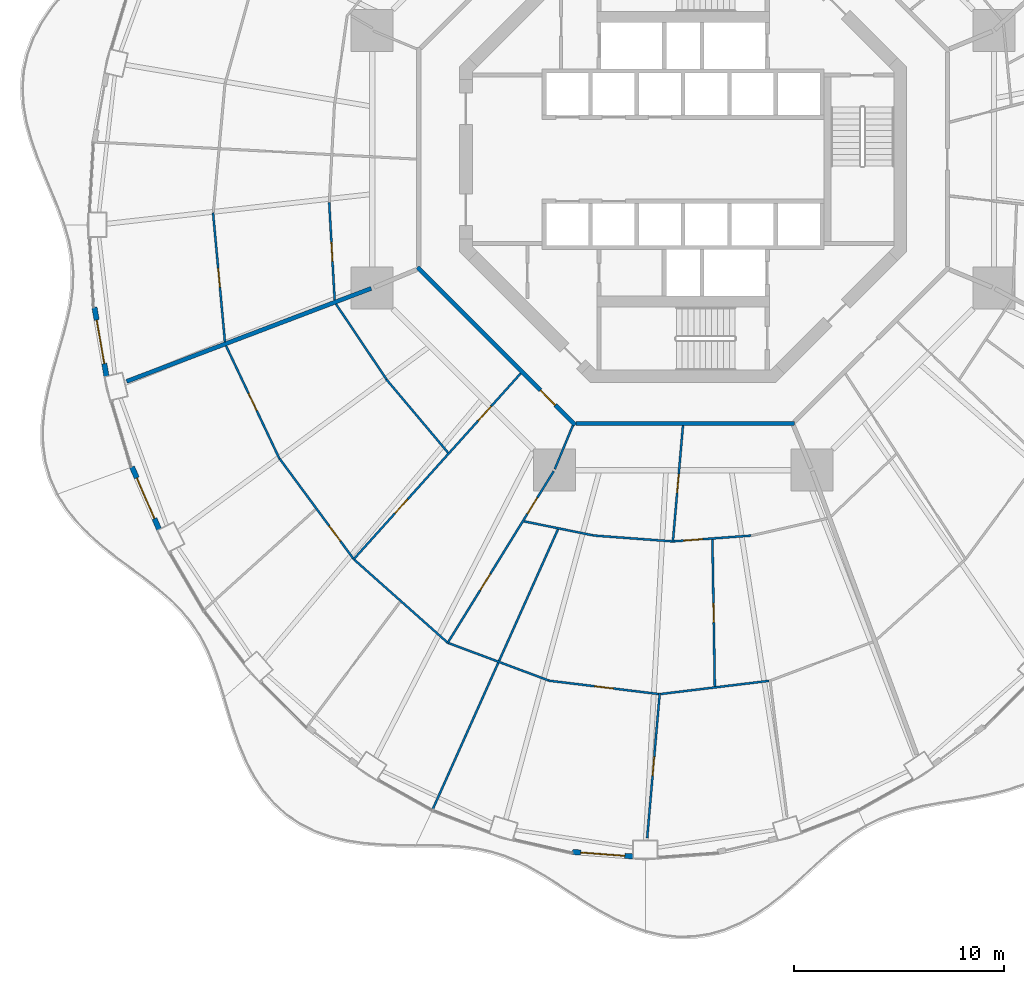
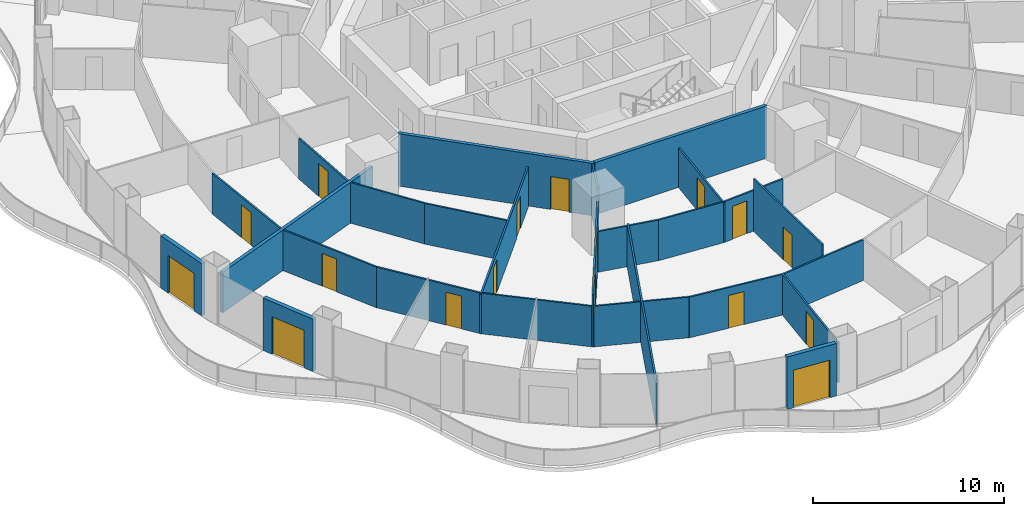
# One storey, part 13 of 21: 26 walls, 17 doors, 17 openings.
"""IFC4 building model written with IfcOpenShell, lengths in metres."""

import ifcopenshell
import ifcopenshell.guid

model = None  # the IFC model being written
_history = None  # IfcOwnerHistory: only IFC2X3 demands one
_inside = {}  # id of a spatial element -> (the spatial element, [elements in it])
_under = {}  # id of a project, library or spatial element -> (it, [spatial elements below it])
_declared = {}  # id of a project -> (the project, [libraries it declares])
_typed = {}  # id of a type object -> (the type object, [elements of that type])
_made_of = {}  # id of a material, layer set ... -> (it, [elements and type objects made of it])


def new_model(schema):
    """Start an empty IFC model of exactly this schema.

    Asked for "IFC4X3", IfcOpenShell would pick the latest addendum, in which some entities
    have other attributes; the version numbers below select the first issue.
    IFC2X3 requires an IfcOwnerHistory on every rooted entity: one is made here for all.
    """
    global model, _history
    if schema == "IFC4X3":
        model = ifcopenshell.file(schema_version=(4, 3, 0, 0))
    else:
        model = ifcopenshell.file(schema=schema)
    _inside.clear()
    _under.clear()
    _declared.clear()
    _typed.clear()
    _made_of.clear()
    _history = None
    if model.schema == "IFC2X3":
        org = make("IfcOrganization", Name="unknown")
        user = make(
            "IfcPersonAndOrganization",
            ThePerson=make("IfcPerson", FamilyName="unknown"),
            TheOrganization=org,
        )
        app = make(
            "IfcApplication",
            ApplicationDeveloper=org,
            Version="unknown",
            ApplicationFullName="unknown",
            ApplicationIdentifier="unknown",
        )
        _history = make(
            "IfcOwnerHistory",
            OwningUser=user,
            OwningApplication=app,
            ChangeAction="ADDED",
            CreationDate=0,
        )
    return model


def make(cls, **values):
    """One entity of the class cls with the attributes given. An attribute that is None is left unset."""
    return model.create_entity(
        cls, **{name: value for name, value in values.items() if value is not None}
    )


def rooted(cls, **values):
    """An entity with a GlobalId (a new one), such as an element, a storey or a relation."""
    return make(cls, GlobalId=ifcopenshell.guid.new(), OwnerHistory=_history, **values)


def si_unit(unit_type, name, prefix=None):
    """IfcSIUnit, for example si_unit("LENGTHUNIT", "METRE", prefix="MILLI")."""
    return make("IfcSIUnit", UnitType=unit_type, Prefix=prefix, Name=name)


def assignment(units):
    """IfcUnitAssignment: the units of a project."""
    return None if units is None else make("IfcUnitAssignment", Units=units)


def point(xyz):
    """IfcCartesianPoint."""
    return None if xyz is None else make("IfcCartesianPoint", Coordinates=xyz)


def direction(xyz):
    """IfcDirection."""
    return None if xyz is None else make("IfcDirection", DirectionRatios=xyz)


def frame(location, z_axis=None, x_axis=None):
    """IfcAxis2Placement3D, a coordinate frame: its origin and axes. An axis left out is left unset."""
    return make(
        "IfcAxis2Placement3D",
        Location=point(location),
        Axis=direction(z_axis),
        RefDirection=direction(x_axis),
    )


def frame_2d(location, x_axis=None):
    """IfcAxis2Placement2D, a coordinate frame in the plane: its origin and x axis."""
    return make(
        "IfcAxis2Placement2D", Location=point(location), RefDirection=direction(x_axis)
    )


def origin():
    """The frame at (0, 0, 0) with its axes left unset."""
    return frame((0.0, 0.0, 0.0))


def place(relative_to, where):
    """IfcLocalPlacement: puts the frame where relative to a parent placement (None: the world)."""
    return make(
        "IfcLocalPlacement", PlacementRelTo=relative_to, RelativePlacement=where
    )


def context(
    kind, dimensions, precision=None, world=None, true_north=None, identifier=None
):
    """IfcGeometricRepresentationContext, for example the 3D "Model" context."""
    return make(
        "IfcGeometricRepresentationContext",
        ContextIdentifier=identifier,
        ContextType=kind,
        CoordinateSpaceDimension=dimensions,
        Precision=precision,
        WorldCoordinateSystem=world,
        TrueNorth=true_north,
    )


def subcontext(parent, identifier, kind, view, scale=None):
    """IfcGeometricRepresentationSubContext, for example "Body" below "Model"."""
    return make(
        "IfcGeometricRepresentationSubContext",
        ContextIdentifier=identifier,
        ContextType=kind,
        ParentContext=parent,
        TargetScale=scale,
        TargetView=view,
    )


def project(units=None, contexts=None):
    """IfcProject with its units and contexts."""
    return rooted(
        "IfcProject",
        Name="project",
        RepresentationContexts=contexts,
        UnitsInContext=assignment(units),
    )


def spatial(cls, under=None, at=None, **own):
    """A site, building, storey or space (cls), placed at a placement, below another one or the project."""
    s = rooted(cls, ObjectPlacement=at, **own)
    if under is not None:
        _under.setdefault(under.id(), (under, []))[1].append(s)
    return s


def profile(cls, at=None, kind="AREA", **sizes):
    """A parametric profile (cls). Its sizes go by their IFC names, for example OverallWidth=200.0."""
    return make(cls, ProfileType=kind, Position=at, **sizes)


def rectangle(**sizes):
    """IfcRectangleProfileDef."""
    return profile("IfcRectangleProfileDef", **sizes)


def extrude(swept, where, along, depth):
    """IfcExtrudedAreaSolid: the profile swept, set in the frame where, extruded along a direction by depth."""
    return make(
        "IfcExtrudedAreaSolid",
        SweptArea=swept,
        Position=where,
        ExtrudedDirection=direction(along),
        Depth=depth,
    )


def shape(context_of_items, identifier, shape_type, items):
    """IfcShapeRepresentation: the items that make up one representation, for example the "Body"."""
    return make(
        "IfcShapeRepresentation",
        ContextOfItems=context_of_items,
        RepresentationIdentifier=identifier,
        RepresentationType=shape_type,
        Items=items,
    )


def material(Name=None, Category=None):
    """IfcMaterial."""
    return make("IfcMaterial", Name=Name, Category=Category)


def layer(
    of_material, thickness, ventilated=None, Name=None, Category=None, Priority=None
):
    """IfcMaterialLayer: one layer of a wall or slab, of a material (None: an air gap)."""
    return make(
        "IfcMaterialLayer",
        Material=of_material,
        LayerThickness=thickness,
        IsVentilated=ventilated,
        Name=Name,
        Category=Category,
        Priority=Priority,
    )


def layer_set(layers, Name=None):
    """IfcMaterialLayerSet."""
    return make("IfcMaterialLayerSet", MaterialLayers=layers, LayerSetName=Name)


def made_of(thing, what):
    """Note that an element or type object is made of a material, layer set ...; save() writes the relation."""
    if what is not None:
        _made_of.setdefault(what.id(), (what, []))[1].append(thing)
    return thing


def type_object(cls, material=None, **own):
    """A type object (cls), such as IfcWallType, which elements share."""
    return made_of(rooted(cls, **own), material)


def element(
    cls,
    number,
    at=None,
    inside=None,
    cuts=None,
    type_object=None,
    material=None,
    context=None,
    identifier="Body",
    shape_type=None,
    held_by="IfcProductDefinitionShape",
    body=None,
    shapes=None,
    **own,
):
    """One element of the class cls, such as IfcWall. Its Tag is "e" and its number.

    at: its placement. inside: the storey or other place that contains it. cuts: it is an
    opening in that element (IfcRelVoidsElement). A single representation is given by context,
    identifier, shape_type and body (its items); several are given by shapes. held_by: the class
    of the entity that holds the representations. save() writes the other relations.
    """
    e = rooted(cls, Tag="e%d" % number, ObjectPlacement=at, **own)
    if body is not None:
        shapes = [shape(context, identifier, shape_type, body)]
    if shapes is not None:
        e.Representation = make(held_by, Representations=shapes)
    if inside is not None:
        _inside.setdefault(inside.id(), (inside, []))[1].append(e)
    if cuts is not None:
        rooted(
            "IfcRelVoidsElement", RelatingBuildingElement=cuts, RelatedOpeningElement=e
        )
    if type_object is not None:
        _typed.setdefault(type_object.id(), (type_object, []))[1].append(e)
    return made_of(e, material)


def fill(opening, filler):
    """IfcRelFillsElement: the door or window that sits in an opening."""
    return rooted(
        "IfcRelFillsElement",
        RelatingOpeningElement=opening,
        RelatedBuildingElement=filler,
    )


def aggregate(whole, parts):
    """IfcRelAggregates: a whole, such as a stair, and the parts it consists of."""
    return rooted("IfcRelAggregates", RelatingObject=whole, RelatedObjects=parts)


def save(model, path):
    """Write the relations noted so far, then the file.

    IfcRelAggregates (storeys below a building ...), IfcRelContainedInSpatialStructure (elements
    in a storey), IfcRelDefinesByType, IfcRelAssociatesMaterial and IfcRelDeclares: one each for
    every whole, place, type object, material and project.
    """
    for whole, parts in _under.values():
        aggregate(whole, parts)
    for where, things in _inside.values():
        rooted(
            "IfcRelContainedInSpatialStructure",
            RelatedElements=things,
            RelatingStructure=where,
        )
    for kind, things in _typed.values():
        rooted("IfcRelDefinesByType", RelatedObjects=things, RelatingType=kind)
    for what, things in _made_of.values():
        rooted("IfcRelAssociatesMaterial", RelatedObjects=things, RelatingMaterial=what)
    for by, libraries in _declared.values():
        rooted("IfcRelDeclares", RelatingContext=by, RelatedDefinitions=libraries)
    model.write(path)


model = new_model("IFC4")

# Units and contexts
model_context = context("Model", 3, precision=1e-05, world=origin(), true_north=direction((0.0, 1.0)))
body_context = subcontext(model_context, "Body", "Model", "MODEL_VIEW")
ifc_project = project(units=[si_unit("LENGTHUNIT", "METRE"), si_unit("AREAUNIT", "SQUARE_METRE"), si_unit("VOLUMEUNIT", "CUBIC_METRE"), si_unit("PLANEANGLEUNIT", "RADIAN"), si_unit("MASSUNIT", "GRAM", prefix="KILO")], contexts=[model_context])

# Site, building, storey
site_placement = place(None, origin())
site = spatial("IfcSite", under=ifc_project, at=site_placement, CompositionType="ELEMENT")
building_placement = place(site_placement, origin())
building = spatial("IfcBuilding", under=site, at=building_placement, Name="Nagisa Residences", CompositionType="ELEMENT")
storey_placement = place(building_placement, frame((0.0, 0.0, 156.60009765625)))
storey = spatial("IfcBuildingStorey", under=building, at=storey_placement, Name="L39", CompositionType="ELEMENT", Elevation=156.60009765625)

# Wall
ifc_material_1 = material(Name="Gypsum board on steel studs", Category="steel")
ifc_layer_1 = layer(ifc_material_1, 0.199951171875)
ifc_layer_set_1 = layer_set([ifc_layer_1], Name="Apartment compartment wall EI60 200")
wall_type_1 = type_object("IfcWallType", Name="Apartment compartment wall EI60 200", PredefinedType="PARTITIONING", material=ifc_layer_set_1)
wall_1_placement = place(storey_placement, frame((-14.828857421875, -6.140625, 0.0), z_axis=(0.0, 0.0, 1.0), x_axis=(-0.93470181966, -0.355432846433, 0.0)))
element("IfcWall", 1, at=wall_1_placement, inside=storey, type_object=wall_type_1, Name="wall:L39:u07", PredefinedType="PARTITIONING", context=body_context, shape_type="SweptSolid", body=[
    extrude(rectangle(XDim=12.4375, YDim=0.199951171875, at=frame_2d((6.21875, 0.0))), origin(), (0.0, 0.0, 1.0), 2.596923828125),
])

# Wall, opening, door
ifc_material_2 = material(Name="Gypsum board on steel studs", Category="steel")
ifc_layer_2 = layer(ifc_material_2, 0.199951171875)
ifc_layer_set_2 = layer_set([ifc_layer_2], Name="Apartment entry wall EI60 200")
wall_type_2 = type_object("IfcWallType", Name="Apartment entry wall EI60 200", PredefinedType="PARTITIONING", material=ifc_layer_set_2)
wall_2_placement = place(storey_placement, frame((-12.635498046875, -5.1337890625, 0.0), z_axis=(0.0, 0.0, 1.0), x_axis=(0.707106781187, -0.707106781187, 0.0)))
wall_2 = element("IfcWall", 2, at=wall_2_placement, inside=storey, type_object=wall_type_2, Name="wall:L39:u17", PredefinedType="PARTITIONING", context=body_context, shape_type="SweptSolid", body=[
    extrude(rectangle(XDim=10.609130859375, YDim=0.199951171875, at=frame_2d((5.3046875, 0.0))), origin(), (0.0, 0.0, 1.0), 3.349853515625),
])
opening_1_placement = place(wall_2_placement, frame((8.274169921875, 0.0, 0.0)))
opening_1 = element("IfcOpeningElement", 3, at=opening_1_placement, cuts=wall_2, Name="Opening L39-U45", PredefinedType="OPENING", context=body_context, shape_type="SweptSolid", body=[
    extrude(rectangle(XDim=1.0, YDim=2.10009765625, at=frame_2d((0.5, 1.050048828125))), frame((0.0, 0.10986328125, 0.0), z_axis=(0.0, -1.0, 0.0), x_axis=(1.0, 0.0, 0.0)), (0.0, 0.0, 1.0), 0.219970703125),
])
ifc_material_3 = material(Name="Timber fire door set", Category="wood")
door_type_1 = type_object("IfcDoorType", Name="Apartment entry door FD30S 1000x2100", OperationType="NOTDEFINED", PredefinedType="DOOR", material=ifc_material_3)
door_1_placement = place(opening_1_placement, frame((1.0, 0.0, 0.0), x_axis=(-1.0, 0.0, 0.0)))
door_1 = element("IfcDoor", 4, at=door_1_placement, inside=storey, type_object=door_type_1, Name="Entry door, Apartment 39F", OperationType="SINGLE_SWING_RIGHT", OverallHeight=2.10009765625, OverallWidth=1.0, PredefinedType="DOOR", context=body_context, shape_type="SweptSolid", body=[
    extrude(rectangle(XDim=1.0, YDim=2.10009765625, at=frame_2d((0.5, 1.050048828125))), frame((0.0, 0.02490234375, 0.0), z_axis=(0.0, -1.0, 0.0), x_axis=(1.0, 0.0, 0.0)), (0.0, 0.0, 1.0), 0.050048828125),
])
fill(opening_1, door_1)

# Wall
wall_3_placement = place(storey_placement, frame((-5.1044921875, -12.564697265625, 0.0), z_axis=(0.0, 0.0, 1.0), x_axis=(1.0, 0.0, 0.0)))
element("IfcWall", 5, at=wall_3_placement, inside=storey, type_object=wall_type_2, Name="wall:L39:u18", PredefinedType="PARTITIONING", context=body_context, shape_type="SweptSolid", body=[
    extrude(rectangle(XDim=10.408935546875, YDim=0.199951171875, at=frame_2d((5.20458984375, 0.0))), origin(), (0.0, 0.0, 1.0), 3.349853515625),
])

# Wall, opening, door
ifc_material_4 = material(Name="Gypsum board on steel studs", Category="steel")
ifc_layer_3 = layer(ifc_material_4, 0.10009765625)
ifc_layer_set_3 = layer_set([ifc_layer_3], Name="Apartment partition 100")
wall_type_3 = type_object("IfcWallType", Name="Apartment partition 100", PredefinedType="PARTITIONING", material=ifc_layer_set_3)
wall_4_placement = place(storey_placement, frame((-16.825439453125, -2.058349609375, 0.0), z_axis=(0.0, 0.0, 1.0), x_axis=(0.055993664681, -0.998431124072, 0.0)))
wall_4 = element("IfcWall", 6, at=wall_4_placement, inside=storey, type_object=wall_type_3, Name="wall:L39:u58", PredefinedType="PARTITIONING", context=body_context, shape_type="SweptSolid", body=[
    extrude(rectangle(XDim=4.64794921875, YDim=0.10009765625, at=frame_2d((2.323974609375, 0.0))), origin(), (0.0, 0.0, 1.0), 2.596923828125),
])
opening_2_placement = place(wall_4_placement, frame((1.89892578125, 0.0, 0.0)))
opening_2 = element("IfcOpeningElement", 7, at=opening_2_placement, cuts=wall_4, Name="Opening L39-U44", PredefinedType="OPENING", context=body_context, shape_type="SweptSolid", body=[
    extrude(rectangle(XDim=0.89990234375, YDim=2.10009765625, at=frame_2d((0.449951171875, 1.050048828125))), frame((0.0, 0.06005859375, 0.0), z_axis=(0.0, -1.0, 0.0), x_axis=(1.0, 0.0, 0.0)), (0.0, 0.0, 1.0), 0.1201171875),
])
ifc_material_5 = material(Name="Timber door set", Category="wood")
door_type_2 = type_object("IfcDoorType", Name="Apartment door 900x2100", OperationType="NOTDEFINED", PredefinedType="DOOR", material=ifc_material_5)
door_2_placement = place(opening_2_placement, origin())
door_2 = element("IfcDoor", 8, at=door_2_placement, inside=storey, type_object=door_type_2, Name="Door to laundry, Apartment 39E", OperationType="SINGLE_SWING_RIGHT", OverallHeight=2.10009765625, OverallWidth=0.89990234375, PredefinedType="DOOR", context=body_context, shape_type="SweptSolid", body=[
    extrude(rectangle(XDim=0.89990234375, YDim=2.10009765625, at=frame_2d((0.449951171875, 1.050048828125))), frame((0.0, 0.02490234375, 0.0), z_axis=(0.0, -1.0, 0.0), x_axis=(1.0, 0.0, 0.0)), (0.0, 0.0, 1.0), 0.050048828125),
])
fill(opening_2, door_2)

wall_5_placement = place(storey_placement, frame((-22.346923828125, -2.54248046875, 0.0), z_axis=(0.0, 0.0, 1.0), x_axis=(0.091796102484, -0.995777824401, 0.0)))
wall_5 = element("IfcWall", 9, at=wall_5_placement, inside=storey, type_object=wall_type_3, Name="wall:L39:u59", PredefinedType="PARTITIONING", context=body_context, shape_type="SweptSolid", body=[
    extrude(rectangle(XDim=6.1650390625, YDim=0.10009765625, at=frame_2d((3.08251953125, 0.0))), origin(), (0.0, 0.0, 1.0), 2.596923828125),
])
opening_3_placement = place(wall_5_placement, frame((2.657470703125, 0.0, 0.0)))
opening_3 = element("IfcOpeningElement", 10, at=opening_3_placement, cuts=wall_5, Name="Opening L39-U42", PredefinedType="OPENING", context=body_context, shape_type="SweptSolid", body=[
    extrude(rectangle(XDim=0.89990234375, YDim=2.10009765625, at=frame_2d((0.449951171875, 1.050048828125))), frame((0.0, 0.06005859375, 0.0), z_axis=(0.0, -1.0, 0.0), x_axis=(1.0, 0.0, 0.0)), (0.0, 0.0, 1.0), 0.1201171875),
])
door_3_placement = place(opening_3_placement, frame((0.89990234375, 0.0, 0.0), x_axis=(-1.0, 0.0, 0.0)))
door_3 = element("IfcDoor", 11, at=door_3_placement, inside=storey, type_object=door_type_2, Name="Door to family room, Apartment 39E", OperationType="SINGLE_SWING_LEFT", OverallHeight=2.10009765625, OverallWidth=0.89990234375, PredefinedType="DOOR", context=body_context, shape_type="SweptSolid", body=[
    extrude(rectangle(XDim=0.89990234375, YDim=2.10009765625, at=frame_2d((0.449951171875, 1.050048828125))), frame((0.0, 0.02490234375, 0.0), z_axis=(0.0, -1.0, 0.0), x_axis=(1.0, 0.0, 0.0)), (0.0, 0.0, 1.0), 0.050048828125),
])
fill(opening_3, door_3)

# Wall
wall_6_placement = place(storey_placement, frame((-16.50390625, -6.8818359375, 0.0), z_axis=(0.0, 0.0, 1.0), x_axis=(0.556995256876, -0.830515673433, 0.0)))
element("IfcWall", 12, at=wall_6_placement, inside=storey, type_object=wall_type_3, Name="wall:L39:u60", PredefinedType="PARTITIONING", context=body_context, shape_type="SweptSolid", body=[
    extrude(rectangle(XDim=4.316650390625, YDim=0.10009765625, at=frame_2d((2.158203125, 0.0))), origin(), (0.0, 0.0, 1.0), 2.596923828125),
])

# Wall, opening, door
wall_7_placement = place(storey_placement, frame((-21.72900390625, -8.871337890625, 0.0), z_axis=(0.0, 0.0, 1.0), x_axis=(0.427721126152, -0.903910746834, 0.0)))
wall_7 = element("IfcWall", 13, at=wall_7_placement, inside=storey, type_object=wall_type_3, Name="wall:L39:u61", PredefinedType="PARTITIONING", context=body_context, shape_type="SweptSolid", body=[
    extrude(rectangle(XDim=5.94873046875, YDim=0.10009765625, at=frame_2d((2.974365234375, 0.0))), origin(), (0.0, 0.0, 1.0), 2.596923828125),
])
opening_4_placement = place(wall_7_placement, frame((2.49951171875, 0.0, 0.0)))
opening_4 = element("IfcOpeningElement", 14, at=opening_4_placement, cuts=wall_7, Name="Opening L39-U53", PredefinedType="OPENING", context=body_context, shape_type="SweptSolid", body=[
    extrude(rectangle(XDim=0.89990234375, YDim=2.10009765625, at=frame_2d((0.449951171875, 1.050048828125))), frame((0.0, 0.06005859375, 0.0), z_axis=(0.0, -1.0, 0.0), x_axis=(1.0, 0.0, 0.0)), (0.0, 0.0, 1.0), 0.1201171875),
])
door_4_placement = place(opening_4_placement, frame((0.89990234375, 0.0, 0.0), x_axis=(-1.0, 0.0, 0.0)))
door_4 = element("IfcDoor", 15, at=door_4_placement, inside=storey, type_object=door_type_2, Name="Door to dining room, Apartment 39F", OperationType="SINGLE_SWING_RIGHT", OverallHeight=2.10009765625, OverallWidth=0.89990234375, PredefinedType="DOOR", context=body_context, shape_type="SweptSolid", body=[
    extrude(rectangle(XDim=0.89990234375, YDim=2.10009765625, at=frame_2d((0.449951171875, 1.050048828125))), frame((0.0, 0.02490234375, 0.0), z_axis=(0.0, -1.0, 0.0), x_axis=(1.0, 0.0, 0.0)), (0.0, 0.0, 1.0), 0.050048828125),
])
fill(opening_4, door_4)

# Wall
wall_8_placement = place(storey_placement, frame((-14.10400390625, -10.47021484375, 0.0), z_axis=(0.0, 0.0, 1.0), x_axis=(0.644051444483, -0.764982180746, 0.0)))
element("IfcWall", 16, at=wall_8_placement, inside=storey, type_object=wall_type_3, Name="wall:L39:u62", PredefinedType="PARTITIONING", context=body_context, shape_type="SweptSolid", body=[
    extrude(rectangle(XDim=4.54833984375, YDim=0.10009765625, at=frame_2d((2.274169921875, 0.0))), origin(), (0.0, 0.0, 1.0), 2.596923828125),
])

# Wall, opening, door
wall_9_placement = place(storey_placement, frame((-19.17626953125, -14.24365234375, 0.0), z_axis=(0.0, 0.0, 1.0), x_axis=(0.593532053206, -0.80481035146, 0.0)))
wall_9 = element("IfcWall", 17, at=wall_9_placement, inside=storey, type_object=wall_type_3, Name="wall:L39:u63", PredefinedType="PARTITIONING", context=body_context, shape_type="SweptSolid", body=[
    extrude(rectangle(XDim=5.8759765625, YDim=0.10009765625, at=frame_2d((2.93798828125, 0.0))), origin(), (0.0, 0.0, 1.0), 2.596923828125),
])
opening_5_placement = place(wall_9_placement, frame((3.956787109375, 0.0, 0.0)))
opening_5 = element("IfcOpeningElement", 18, at=opening_5_placement, cuts=wall_9, Name="Opening L39-U54", PredefinedType="OPENING", context=body_context, shape_type="SweptSolid", body=[
    extrude(rectangle(XDim=0.89990234375, YDim=2.10009765625, at=frame_2d((0.449951171875, 1.050048828125))), frame((0.0, 0.06005859375, 0.0), z_axis=(0.0, -1.0, 0.0), x_axis=(1.0, 0.0, 0.0)), (0.0, 0.0, 1.0), 0.1201171875),
])
door_5_placement = place(opening_5_placement, frame((0.89990234375, 0.0, 0.0), x_axis=(-1.0, 0.0, 0.0)))
door_5 = element("IfcDoor", 19, at=door_5_placement, inside=storey, type_object=door_type_2, Name="Door to tatami room, Apartment 39F", OperationType="SINGLE_SWING_LEFT", OverallHeight=2.10009765625, OverallWidth=0.89990234375, PredefinedType="DOOR", context=body_context, shape_type="SweptSolid", body=[
    extrude(rectangle(XDim=0.89990234375, YDim=2.10009765625, at=frame_2d((0.449951171875, 1.050048828125))), frame((0.0, 0.02490234375, 0.0), z_axis=(0.0, -1.0, 0.0), x_axis=(1.0, 0.0, 0.0)), (0.0, 0.0, 1.0), 0.050048828125),
])
fill(opening_5, door_5)

# Wall, openings, doors
wall_10_placement = place(storey_placement, frame((-7.724853515625, -10.185791015625, 0.0), z_axis=(0.0, 0.0, 1.0), x_axis=(-0.668498346565, -0.743713628112, 0.0)))
wall_10 = element("IfcWall", 20, at=wall_10_placement, inside=storey, type_object=wall_type_3, Name="wall:L39:u65", PredefinedType="PARTITIONING", context=body_context, shape_type="SweptSolid", body=[
    extrude(rectangle(XDim=11.9189453125, YDim=0.10009765625, at=frame_2d((5.95947265625, 0.0))), origin(), (0.0, 0.0, 1.0), 2.514892578125),
])
opening_6_placement = place(wall_10_placement, frame((2.106201171875, 0.0, 0.0)))
opening_6 = element("IfcOpeningElement", 21, at=opening_6_placement, cuts=wall_10, Name="Opening L39-U46", PredefinedType="OPENING", context=body_context, shape_type="SweptSolid", body=[
    extrude(rectangle(XDim=0.89990234375, YDim=2.10009765625, at=frame_2d((0.449951171875, 1.050048828125))), frame((0.0, 0.06005859375, 0.0), z_axis=(0.0, -1.0, 0.0), x_axis=(1.0, 0.0, 0.0)), (0.0, 0.0, 1.0), 0.1201171875),
])
opening_7_placement = place(wall_10_placement, frame((8.040771484375, 0.0, 0.0)))
opening_7 = element("IfcOpeningElement", 22, at=opening_7_placement, cuts=wall_10, Name="Opening L39-U49", PredefinedType="OPENING", context=body_context, shape_type="SweptSolid", body=[
    extrude(rectangle(XDim=0.89990234375, YDim=2.10009765625, at=frame_2d((0.449951171875, 1.050048828125))), frame((0.0, 0.06005859375, 0.0), z_axis=(0.0, -1.0, 0.0), x_axis=(1.0, 0.0, 0.0)), (0.0, 0.0, 1.0), 0.1201171875),
])
door_6_placement = place(opening_6_placement, frame((0.89990234375, 0.0, 0.0), x_axis=(-1.0, 0.0, 0.0)))
door_6 = element("IfcDoor", 23, at=door_6_placement, inside=storey, type_object=door_type_2, Name="Door to store, Apartment 39F", OperationType="SINGLE_SWING_LEFT", OverallHeight=2.10009765625, OverallWidth=0.89990234375, PredefinedType="DOOR", context=body_context, shape_type="SweptSolid", body=[
    extrude(rectangle(XDim=0.89990234375, YDim=2.10009765625, at=frame_2d((0.449951171875, 1.050048828125))), frame((0.0, 0.02490234375, 0.0), z_axis=(0.0, -1.0, 0.0), x_axis=(1.0, 0.0, 0.0)), (0.0, 0.0, 1.0), 0.050048828125),
])
fill(opening_6, door_6)
door_7_placement = place(opening_7_placement, frame((0.89990234375, 0.0, 0.0), x_axis=(-1.0, 0.0, 0.0)))
door_7 = element("IfcDoor", 24, at=door_7_placement, inside=storey, type_object=door_type_2, Name="Door to family room, Apartment 39F", OperationType="SINGLE_SWING_RIGHT", OverallHeight=2.10009765625, OverallWidth=0.89990234375, PredefinedType="DOOR", context=body_context, shape_type="SweptSolid", body=[
    extrude(rectangle(XDim=0.89990234375, YDim=2.10009765625, at=frame_2d((0.449951171875, 1.050048828125))), frame((0.0, 0.02490234375, 0.0), z_axis=(0.0, -1.0, 0.0), x_axis=(1.0, 0.0, 0.0)), (0.0, 0.0, 1.0), 0.050048828125),
])
fill(opening_7, door_7)

# Walls
wall_11_placement = place(storey_placement, frame((-15.621826171875, -19.046142578125, 0.0), z_axis=(0.0, 0.0, 1.0), x_axis=(0.747342891849, -0.664438561496, 0.0)))
element("IfcWall", 25, at=wall_11_placement, inside=storey, type_object=wall_type_3, Name="wall:L39:u66", PredefinedType="PARTITIONING", context=body_context, shape_type="SweptSolid", body=[
    extrude(rectangle(XDim=5.880859375, YDim=0.10009765625, at=frame_2d((2.9404296875, 0.0))), origin(), (0.0, 0.0, 1.0), 2.596923828125),
])
wall_12_placement = place(storey_placement, frame((-5.24267578125, -12.6572265625, 0.0), z_axis=(0.0, 0.0, 1.0), x_axis=(-0.382811769845, -0.923826362943, 0.0)))
element("IfcWall", 26, at=wall_12_placement, inside=storey, type_object=wall_type_3, Name="wall:L39:u68", PredefinedType="PARTITIONING", context=body_context, shape_type="SweptSolid", body=[
    extrude(rectangle(XDim=2.25, YDim=0.10009765625, at=frame_2d((1.125, 0.0))), origin(), (0.0, 0.0, 1.0), 3.349853515625),
])

# Wall, openings, doors
wall_13_placement = place(storey_placement, frame((-6.149169921875, -14.82470703125, 0.0), z_axis=(0.0, 0.0, 1.0), x_axis=(-0.525396393596, -0.850857584791, 0.0)))
wall_13 = element("IfcWall", 27, at=wall_13_placement, inside=storey, type_object=wall_type_3, Name="wall:L39:u69", PredefinedType="PARTITIONING", context=body_context, shape_type="SweptSolid", body=[
    extrude(rectangle(XDim=9.64306640625, YDim=0.10009765625, at=frame_2d((4.821533203125, 0.0))), origin(), (0.0, 0.0, 1.0), 3.349853515625),
])
opening_8_placement = place(wall_13_placement, frame((1.48486328125, 0.0, 0.0)))
opening_8 = element("IfcOpeningElement", 28, at=opening_8_placement, cuts=wall_13, Name="Opening L39-U47", PredefinedType="OPENING", context=body_context, shape_type="SweptSolid", body=[
    extrude(rectangle(XDim=0.89990234375, YDim=2.10009765625, at=frame_2d((0.449951171875, 1.050048828125))), frame((0.0, 0.06005859375, 0.0), z_axis=(0.0, -1.0, 0.0), x_axis=(1.0, 0.0, 0.0)), (0.0, 0.0, 1.0), 0.1201171875),
])
opening_9_placement = place(wall_13_placement, frame((5.743896484375, 0.0, 0.0)))
opening_9 = element("IfcOpeningElement", 29, at=opening_9_placement, cuts=wall_13, Name="Opening L39-U50", PredefinedType="OPENING", context=body_context, shape_type="SweptSolid", body=[
    extrude(rectangle(XDim=0.89990234375, YDim=2.10009765625, at=frame_2d((0.449951171875, 1.050048828125))), frame((0.0, 0.06005859375, 0.0), z_axis=(0.0, -1.0, 0.0), x_axis=(1.0, 0.0, 0.0)), (0.0, 0.0, 1.0), 0.1201171875),
])
door_8_placement = place(opening_8_placement, origin())
door_8 = element("IfcDoor", 30, at=door_8_placement, inside=storey, type_object=door_type_2, Name="Door to store, Apartment 39F", OperationType="SINGLE_SWING_LEFT", OverallHeight=2.10009765625, OverallWidth=0.89990234375, PredefinedType="DOOR", context=body_context, shape_type="SweptSolid", body=[
    extrude(rectangle(XDim=0.89990234375, YDim=2.10009765625, at=frame_2d((0.449951171875, 1.050048828125))), frame((0.0, 0.02490234375, 0.0), z_axis=(0.0, -1.0, 0.0), x_axis=(1.0, 0.0, 0.0)), (0.0, 0.0, 1.0), 0.050048828125),
])
fill(opening_8, door_8)
door_9_placement = place(opening_9_placement, origin())
door_9 = element("IfcDoor", 31, at=door_9_placement, inside=storey, type_object=door_type_2, Name="Door to family bathroom, Apartment 39F", OperationType="SINGLE_SWING_RIGHT", OverallHeight=2.10009765625, OverallWidth=0.89990234375, PredefinedType="DOOR", context=body_context, shape_type="SweptSolid", body=[
    extrude(rectangle(XDim=0.89990234375, YDim=2.10009765625, at=frame_2d((0.449951171875, 1.050048828125))), frame((0.0, 0.02490234375, 0.0), z_axis=(0.0, -1.0, 0.0), x_axis=(1.0, 0.0, 0.0)), (0.0, 0.0, 1.0), 0.050048828125),
])
fill(opening_9, door_9)

# Walls
wall_14_placement = place(storey_placement, frame((-7.568359375, -17.21240234375, 0.0), z_axis=(0.0, 0.0, 1.0), x_axis=(0.979967079473, -0.199159541946, 0.0)))
element("IfcWall", 32, at=wall_14_placement, inside=storey, type_object=wall_type_3, Name="wall:L39:u70", PredefinedType="PARTITIONING", context=body_context, shape_type="SweptSolid", body=[
    extrude(rectangle(XDim=3.3466796875, YDim=0.10009765625, at=frame_2d((1.67333984375, 0.0))), origin(), (0.0, 0.0, 1.0), 2.596923828125),
])
wall_15_placement = place(storey_placement, frame((-11.142578125, -23.00439453125, 0.0), z_axis=(0.0, 0.0, 1.0), x_axis=(0.936721765635, -0.350074754567, 0.0)))
element("IfcWall", 33, at=wall_15_placement, inside=storey, type_object=wall_type_3, Name="wall:L39:u71", PredefinedType="PARTITIONING", context=body_context, shape_type="SweptSolid", body=[
    extrude(rectangle(XDim=5.052734375, YDim=0.10009765625, at=frame_2d((2.5263671875, 0.0))), origin(), (0.0, 0.0, 1.0), 2.596923828125),
])
wall_16_placement = place(storey_placement, frame((-5.94921875, -17.59130859375, 0.0), z_axis=(0.0, 0.0, 1.0), x_axis=(-0.40838467696, -0.912809923053, 0.0)))
element("IfcWall", 34, at=wall_16_placement, inside=storey, type_object=wall_type_3, Name="wall:L39:u72", PredefinedType="PARTITIONING", context=body_context, shape_type="SweptSolid", body=[
    extrude(rectangle(XDim=14.6650390625, YDim=0.10009765625, at=frame_2d((7.33251953125, 0.0))), origin(), (0.0, 0.0, 1.0), 2.746826171875),
])
wall_17_placement = place(storey_placement, frame((-4.289794921875, -17.88525390625, 0.0), z_axis=(0.0, 0.0, 1.0), x_axis=(0.997272353708, -0.073809569363, 0.0)))
element("IfcWall", 35, at=wall_17_placement, inside=storey, type_object=wall_type_3, Name="wall:L39:u73", PredefinedType="PARTITIONING", context=body_context, shape_type="SweptSolid", body=[
    extrude(rectangle(XDim=3.76416015625, YDim=0.10009765625, at=frame_2d((1.882080078125, 0.0))), origin(), (0.0, 0.0, 1.0), 2.596923828125),
])

# Wall, opening, door
wall_18_placement = place(storey_placement, frame((-6.41259765625, -24.784423828125, 0.0), z_axis=(0.0, 0.0, 1.0), x_axis=(0.992690077723, -0.120691381588, 0.0)))
wall_18 = element("IfcWall", 36, at=wall_18_placement, inside=storey, type_object=wall_type_3, Name="wall:L39:u74", PredefinedType="PARTITIONING", context=body_context, shape_type="SweptSolid", body=[
    extrude(rectangle(XDim=5.28564453125, YDim=0.10009765625, at=frame_2d((2.642822265625, 0.0))), origin(), (0.0, 0.0, 1.0), 2.596923828125),
])
opening_10_placement = place(wall_18_placement, frame((2.2177734375, 0.0, 0.0)))
opening_10 = element("IfcOpeningElement", 37, at=opening_10_placement, cuts=wall_18, Name="Opening L39-U56", PredefinedType="OPENING", context=body_context, shape_type="SweptSolid", body=[
    extrude(rectangle(XDim=0.89990234375, YDim=2.10009765625, at=frame_2d((0.449951171875, 1.050048828125))), frame((0.0, 0.06005859375, 0.0), z_axis=(0.0, -1.0, 0.0), x_axis=(1.0, 0.0, 0.0)), (0.0, 0.0, 1.0), 0.1201171875),
])
door_10_placement = place(opening_10_placement, frame((0.89990234375, 0.0, 0.0), x_axis=(-1.0, 0.0, 0.0)))
door_10 = element("IfcDoor", 38, at=door_10_placement, inside=storey, type_object=door_type_2, Name="Door to living room, Apartment 39F", OperationType="SINGLE_SWING_LEFT", OverallHeight=2.10009765625, OverallWidth=0.89990234375, PredefinedType="DOOR", context=body_context, shape_type="SweptSolid", body=[
    extrude(rectangle(XDim=0.89990234375, YDim=2.10009765625, at=frame_2d((0.449951171875, 1.050048828125))), frame((0.0, 0.02490234375, 0.0), z_axis=(0.0, -1.0, 0.0), x_axis=(1.0, 0.0, 0.0)), (0.0, 0.0, 1.0), 0.050048828125),
])
fill(opening_10, door_10)

wall_19_placement = place(storey_placement, frame((-0.008544921875, -12.664306640625, 0.0), z_axis=(0.0, 0.0, 1.0), x_axis=(-0.086431127211, -0.9962578282, 0.0)))
wall_19 = element("IfcWall", 39, at=wall_19_placement, inside=storey, type_object=wall_type_3, Name="wall:L39:u75", PredefinedType="PARTITIONING", context=body_context, shape_type="SweptSolid", body=[
    extrude(rectangle(XDim=5.572998046875, YDim=0.10009765625, at=frame_2d((2.78662109375, 0.0))), origin(), (0.0, 0.0, 1.0), 2.514892578125),
])
opening_11_placement = place(wall_19_placement, frame((2.3115234375, 0.0, 0.0)))
opening_11 = element("IfcOpeningElement", 40, at=opening_11_placement, cuts=wall_19, Name="Opening L39-U48", PredefinedType="OPENING", context=body_context, shape_type="SweptSolid", body=[
    extrude(rectangle(XDim=0.89990234375, YDim=2.10009765625, at=frame_2d((0.449951171875, 1.050048828125))), frame((0.0, 0.06005859375, 0.0), z_axis=(0.0, -1.0, 0.0), x_axis=(1.0, 0.0, 0.0)), (0.0, 0.0, 1.0), 0.1201171875),
])
door_11_placement = place(opening_11_placement, origin())
door_11 = element("IfcDoor", 41, at=door_11_placement, inside=storey, type_object=door_type_2, Name="Door to laundry, Apartment 39F", OperationType="SINGLE_SWING_RIGHT", OverallHeight=2.10009765625, OverallWidth=0.89990234375, PredefinedType="DOOR", context=body_context, shape_type="SweptSolid", body=[
    extrude(rectangle(XDim=0.89990234375, YDim=2.10009765625, at=frame_2d((0.449951171875, 1.050048828125))), frame((0.0, 0.02490234375, 0.0), z_axis=(0.0, -1.0, 0.0), x_axis=(1.0, 0.0, 0.0)), (0.0, 0.0, 1.0), 0.050048828125),
])
fill(opening_11, door_11)

wall_20_placement = place(storey_placement, frame((-0.43603515625, -18.1630859375, 0.0), z_axis=(0.0, 0.0, 1.0), x_axis=(0.997271025958, 0.073827506966, 0.0)))
wall_20 = element("IfcWall", 42, at=wall_20_placement, inside=storey, type_object=wall_type_3, Name="wall:L39:u76", PredefinedType="PARTITIONING", context=body_context, shape_type="SweptSolid", body=[
    extrude(rectangle(XDim=3.6640625, YDim=0.10009765625, at=frame_2d((1.83203125, 0.0))), origin(), (0.0, 0.0, 1.0), 2.596923828125),
])
opening_12_placement = place(wall_20_placement, frame((0.466064453125, 0.0, 0.0)))
opening_12 = element("IfcOpeningElement", 43, at=opening_12_placement, cuts=wall_20, Name="Opening L39-U51", PredefinedType="OPENING", context=body_context, shape_type="SweptSolid", body=[
    extrude(rectangle(XDim=0.89990234375, YDim=2.10009765625, at=frame_2d((0.449951171875, 1.050048828125))), frame((0.0, 0.06005859375, 0.0), z_axis=(0.0, -1.0, 0.0), x_axis=(1.0, 0.0, 0.0)), (0.0, 0.0, 1.0), 0.1201171875),
])
door_12_placement = place(opening_12_placement, frame((0.89990234375, 0.0, 0.0), x_axis=(-1.0, 0.0, 0.0)))
door_12 = element("IfcDoor", 44, at=door_12_placement, inside=storey, type_object=door_type_2, Name="Door to dining room, Apartment 39F", OperationType="SINGLE_SWING_RIGHT", OverallHeight=2.10009765625, OverallWidth=0.89990234375, PredefinedType="DOOR", context=body_context, shape_type="SweptSolid", body=[
    extrude(rectangle(XDim=0.89990234375, YDim=2.10009765625, at=frame_2d((0.449951171875, 1.050048828125))), frame((0.0, 0.02490234375, 0.0), z_axis=(0.0, -1.0, 0.0), x_axis=(1.0, 0.0, 0.0)), (0.0, 0.0, 1.0), 0.050048828125),
])
fill(opening_12, door_12)

wall_21_placement = place(storey_placement, frame((-1.111572265625, -25.378662109375, 0.0), z_axis=(0.0, 0.0, 1.0), x_axis=(-0.08643315117, -0.996257652607, 0.0)))
wall_21 = element("IfcWall", 45, at=wall_21_placement, inside=storey, type_object=wall_type_3, Name="wall:L39:u77", PredefinedType="PARTITIONING", context=body_context, shape_type="SweptSolid", body=[
    extrude(rectangle(XDim=6.91748046875, YDim=0.10009765625, at=frame_2d((3.458740234375, 0.0))), origin(), (0.0, 0.0, 1.0), 2.596923828125),
])
opening_13_placement = place(wall_21_placement, frame((3.03369140625, 0.0, 0.0)))
opening_13 = element("IfcOpeningElement", 46, at=opening_13_placement, cuts=wall_21, Name="Opening L39-U57", PredefinedType="OPENING", context=body_context, shape_type="SweptSolid", body=[
    extrude(rectangle(XDim=0.89990234375, YDim=2.10009765625, at=frame_2d((0.449951171875, 1.050048828125))), frame((0.0, 0.06005859375, 0.0), z_axis=(0.0, -1.0, 0.0), x_axis=(1.0, 0.0, 0.0)), (0.0, 0.0, 1.0), 0.1201171875),
])
door_13_placement = place(opening_13_placement, origin())
door_13 = element("IfcDoor", 47, at=door_13_placement, inside=storey, type_object=door_type_2, Name="Door to master bedroom, Apartment 39F", OperationType="SINGLE_SWING_LEFT", OverallHeight=2.10009765625, OverallWidth=0.89990234375, PredefinedType="DOOR", context=body_context, shape_type="SweptSolid", body=[
    extrude(rectangle(XDim=0.89990234375, YDim=2.10009765625, at=frame_2d((0.449951171875, 1.050048828125))), frame((0.0, 0.02490234375, 0.0), z_axis=(0.0, -1.0, 0.0), x_axis=(1.0, 0.0, 0.0)), (0.0, 0.0, 1.0), 0.050048828125),
])
fill(opening_13, door_13)

# Wall
wall_22_placement = place(storey_placement, frame((-1.06640625, -25.42236328125, 0.0), z_axis=(0.0, 0.0, 1.0), x_axis=(0.992692993044, 0.120667400577, 0.0)))
element("IfcWall", 48, at=wall_22_placement, inside=storey, type_object=wall_type_3, Name="wall:L39:u78", PredefinedType="PARTITIONING", context=body_context, shape_type="SweptSolid", body=[
    extrude(rectangle(XDim=5.185546875, YDim=0.10009765625, at=frame_2d((2.5927734375, 0.0))), origin(), (0.0, 0.0, 1.0), 2.596923828125),
])

# Wall, opening, door
wall_23_placement = place(storey_placement, frame((1.391845703125, -18.077880859375, 0.0), z_axis=(0.0, 0.0, 1.0), x_axis=(0.016433071124, -0.99986496797, 0.0)))
wall_23 = element("IfcWall", 49, at=wall_23_placement, inside=storey, type_object=wall_type_3, Name="wall:L39:u79", PredefinedType="PARTITIONING", context=body_context, shape_type="SweptSolid", body=[
    extrude(rectangle(XDim=6.982666015625, YDim=0.10009765625, at=frame_2d((3.4912109375, 0.0))), origin(), (0.0, 0.0, 1.0), 3.349853515625),
])
opening_14_placement = place(wall_23_placement, frame((3.041259765625, 0.0, 0.0)))
opening_14 = element("IfcOpeningElement", 50, at=opening_14_placement, cuts=wall_23, Name="Opening L39-U52", PredefinedType="OPENING", context=body_context, shape_type="SweptSolid", body=[
    extrude(rectangle(XDim=0.89990234375, YDim=2.10009765625, at=frame_2d((0.449951171875, 1.050048828125))), frame((0.0, 0.06005859375, 0.0), z_axis=(0.0, -1.0, 0.0), x_axis=(1.0, 0.0, 0.0)), (0.0, 0.0, 1.0), 0.1201171875),
])
door_14_placement = place(opening_14_placement, origin())
door_14 = element("IfcDoor", 51, at=door_14_placement, inside=storey, type_object=door_type_2, Name="Door to kitchen, Apartment 39F", OperationType="SINGLE_SWING_RIGHT", OverallHeight=2.10009765625, OverallWidth=0.89990234375, PredefinedType="DOOR", context=body_context, shape_type="SweptSolid", body=[
    extrude(rectangle(XDim=0.89990234375, YDim=2.10009765625, at=frame_2d((0.449951171875, 1.050048828125))), frame((0.0, 0.02490234375, 0.0), z_axis=(0.0, -1.0, 0.0), x_axis=(1.0, 0.0, 0.0)), (0.0, 0.0, 1.0), 0.050048828125),
])
fill(opening_14, door_14)

ifc_material_6 = material(Name="Precast concrete C40/50", Category="concrete")
ifc_layer_4 = layer(ifc_material_6, 0.25)
ifc_layer_set_4 = layer_set([ifc_layer_4], Name="BALCONY DOOR WALL 250")
wall_type_4 = type_object("IfcWallType", Name="BALCONY DOOR WALL 250", PredefinedType="SOLIDWALL", material=ifc_layer_set_4)
wall_24_placement = place(storey_placement, frame((-27.4111328125, -10.320068359375, 0.0), z_axis=(0.0, 0.0, 1.0), x_axis=(-0.172163521006, 0.985068384446, 0.0)))
wall_24 = element("IfcWall", 52, at=wall_24_placement, inside=storey, type_object=wall_type_4, Name="wall:L39:bay25", PredefinedType="SOLIDWALL", context=body_context, shape_type="SweptSolid", body=[
    extrude(rectangle(XDim=3.33251953125, YDim=0.25, at=frame_2d((1.666259765625, 0.0))), origin(), (0.0, 0.0, 1.0), 3.349853515625),
])
opening_15_placement = place(wall_24_placement, frame((0.6162109375, 0.0, 0.0)))
opening_15 = element("IfcOpeningElement", 53, at=opening_15_placement, cuts=wall_24, Name="Opening BD-L39-09", PredefinedType="OPENING", context=body_context, shape_type="SweptSolid", body=[
    extrude(rectangle(XDim=2.10009765625, YDim=2.39990234375, at=frame_2d((1.050048828125, 1.199951171875))), frame((0.0, 0.135009765625, 0.0), z_axis=(0.0, -1.0, 0.0), x_axis=(1.0, 0.0, 0.0)), (0.0, 0.0, 1.0), 0.27001953125),
])
ifc_material_7 = material(Name="Aluminium and clear glass", Category="aluminium")
door_type_3 = type_object("IfcDoorType", Name="BALCONY SLIDING DOOR 2100x2400", OperationType="SLIDING_TO_LEFT", PredefinedType="DOOR", material=ifc_material_7)
door_15_placement = place(opening_15_placement, origin())
door_15 = element("IfcDoor", 54, at=door_15_placement, inside=storey, type_object=door_type_3, Name="door:L39:bay25", OperationType="SLIDING_TO_LEFT", OverallHeight=2.39990234375, OverallWidth=2.10009765625, PredefinedType="DOOR", context=body_context, shape_type="SweptSolid", body=[
    extrude(rectangle(XDim=2.10009765625, YDim=2.39990234375, at=frame_2d((1.050048828125, 1.199951171875))), frame((0.0, 0.02490234375, 0.0), z_axis=(0.0, -1.0, 0.0), x_axis=(1.0, 0.0, 0.0)), (0.0, 0.0, 1.0), 0.050048828125),
])
fill(opening_15, door_15)

wall_25_placement = place(storey_placement, frame((-24.90380859375, -17.614990234375, 0.0), z_axis=(0.0, 0.0, 1.0), x_axis=(-0.397638954585, 0.917541967321, 0.0)))
wall_25 = element("IfcWall", 55, at=wall_25_placement, inside=storey, type_object=wall_type_4, Name="wall:L39:bay27", PredefinedType="SOLIDWALL", context=body_context, shape_type="SweptSolid", body=[
    extrude(rectangle(XDim=3.2607421875, YDim=0.25, at=frame_2d((1.63037109375, 0.0))), origin(), (0.0, 0.0, 1.0), 3.349853515625),
])
opening_16_placement = place(wall_25_placement, frame((0.580322265625, 0.0, 0.0)))
opening_16 = element("IfcOpeningElement", 56, at=opening_16_placement, cuts=wall_25, Name="Opening BD-L39-10", PredefinedType="OPENING", context=body_context, shape_type="SweptSolid", body=[
    extrude(rectangle(XDim=2.10009765625, YDim=2.39990234375, at=frame_2d((1.050048828125, 1.199951171875))), frame((0.0, 0.135009765625, 0.0), z_axis=(0.0, -1.0, 0.0), x_axis=(1.0, 0.0, 0.0)), (0.0, 0.0, 1.0), 0.27001953125),
])
door_16_placement = place(opening_16_placement, origin())
door_16 = element("IfcDoor", 57, at=door_16_placement, inside=storey, type_object=door_type_3, Name="door:L39:bay27", OperationType="SLIDING_TO_LEFT", OverallHeight=2.39990234375, OverallWidth=2.10009765625, PredefinedType="DOOR", context=body_context, shape_type="SweptSolid", body=[
    extrude(rectangle(XDim=2.10009765625, YDim=2.39990234375, at=frame_2d((1.050048828125, 1.199951171875))), frame((0.0, 0.02490234375, 0.0), z_axis=(0.0, -1.0, 0.0), x_axis=(1.0, 0.0, 0.0)), (0.0, 0.0, 1.0), 0.050048828125),
])
fill(opening_16, door_16)

wall_26_placement = place(storey_placement, frame((-2.38916015625, -33.143310546875, 0.0), z_axis=(0.0, 0.0, 1.0), x_axis=(-0.997231697044, 0.074356858535, 0.0)))
wall_26 = element("IfcWall", 58, at=wall_26_placement, inside=storey, type_object=wall_type_4, Name="wall:L39:bay35", PredefinedType="SOLIDWALL", context=body_context, shape_type="SweptSolid", body=[
    extrude(rectangle(XDim=2.873046875, YDim=0.25, at=frame_2d((1.4365234375, 0.0))), origin(), (0.0, 0.0, 1.0), 3.349853515625),
])
opening_17_placement = place(wall_26_placement, frame((0.386474609375, 0.0, 0.0)))
opening_17 = element("IfcOpeningElement", 59, at=opening_17_placement, cuts=wall_26, Name="Opening BD-L39-12", PredefinedType="OPENING", context=body_context, shape_type="SweptSolid", body=[
    extrude(rectangle(XDim=2.10009765625, YDim=2.39990234375, at=frame_2d((1.050048828125, 1.199951171875))), frame((0.0, 0.135009765625, 0.0), z_axis=(0.0, -1.0, 0.0), x_axis=(1.0, 0.0, 0.0)), (0.0, 0.0, 1.0), 0.27001953125),
])
door_17_placement = place(opening_17_placement, origin())
door_17 = element("IfcDoor", 60, at=door_17_placement, inside=storey, type_object=door_type_3, Name="door:L39:bay35", OperationType="SLIDING_TO_LEFT", OverallHeight=2.39990234375, OverallWidth=2.10009765625, PredefinedType="DOOR", context=body_context, shape_type="SweptSolid", body=[
    extrude(rectangle(XDim=2.10009765625, YDim=2.39990234375, at=frame_2d((1.050048828125, 1.199951171875))), frame((0.0, 0.02490234375, 0.0), z_axis=(0.0, -1.0, 0.0), x_axis=(1.0, 0.0, 0.0)), (0.0, 0.0, 1.0), 0.050048828125),
])
fill(opening_17, door_17)

save(model, "model.ifc")
